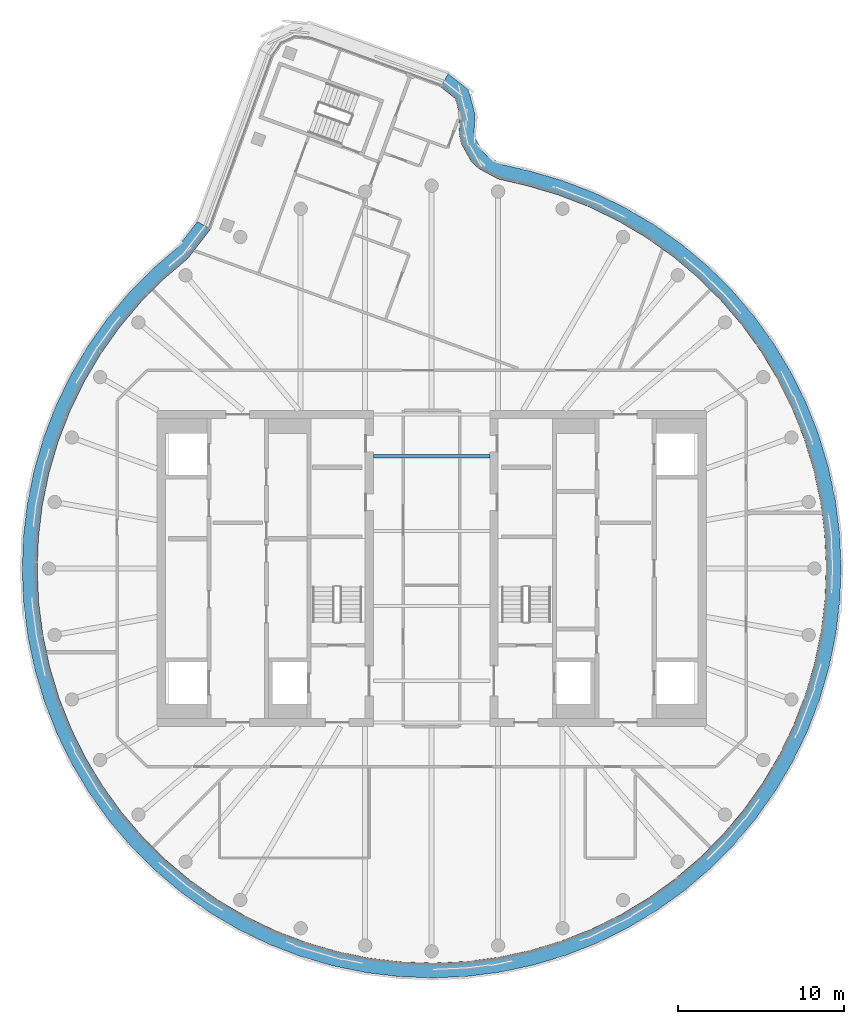
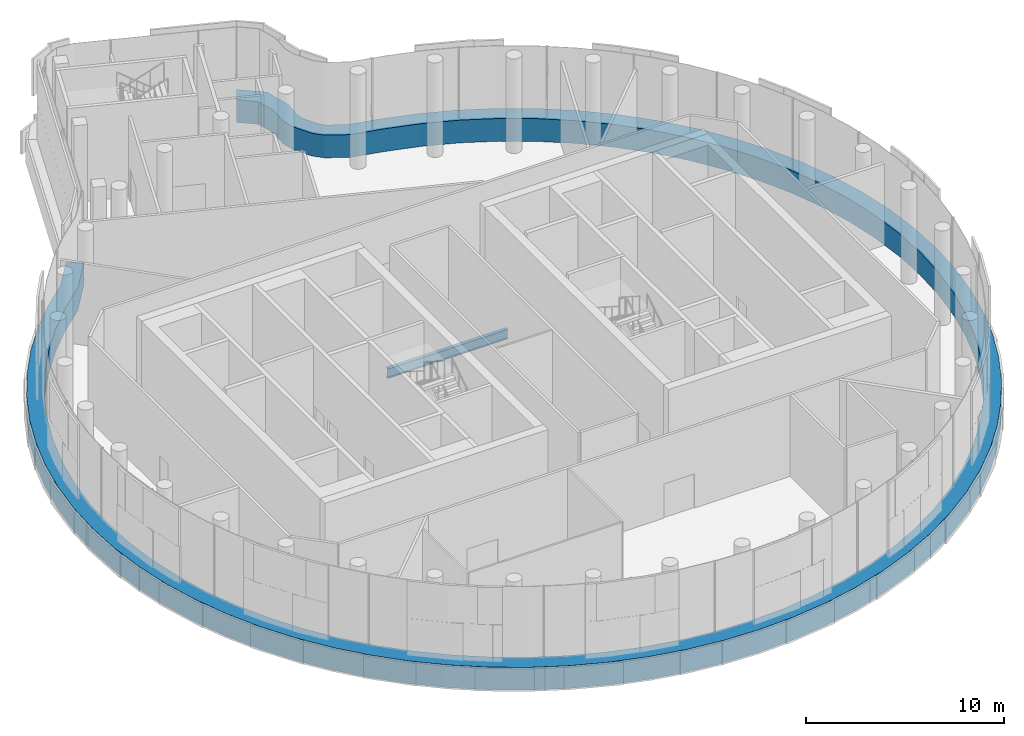
# One storey, part 5 of 18: 1 beam, 1 member, 1 element without a shape of its own.
"""IFC4 building model written with IfcOpenShell, lengths in metres."""

from ifc_helpers import new_model, si_unit, direction, frame, origin, origin_2d, place, context, subcontext, project, spatial, polyline, i_section, outline, extrude, material, layer, layer_set, material_profile, profile_set, type_object, element, aggregate, save


model = new_model("IFC4")

# Units and contexts
model_context = context("Model", 3, precision=1e-05, world=origin(), true_north=direction((0.0, 1.0)))
body_context = subcontext(model_context, "Body", "Model", "MODEL_VIEW")
ifc_project = project(units=[si_unit("LENGTHUNIT", "METRE"), si_unit("AREAUNIT", "SQUARE_METRE"), si_unit("VOLUMEUNIT", "CUBIC_METRE"), si_unit("PLANEANGLEUNIT", "RADIAN"), si_unit("MASSUNIT", "GRAM", prefix="KILO")], contexts=[model_context])

# Site, building, storey
site_placement = place(None, origin())
site = spatial("IfcSite", under=ifc_project, at=site_placement, CompositionType="ELEMENT")
building_placement = place(site_placement, origin())
building = spatial("IfcBuilding", under=site, at=building_placement, Name="Tamarind Cross Interchange Tower", CompositionType="ELEMENT")
storey_placement = place(building_placement, frame((0.0, 0.0, 299.39990234375)))
storey = spatial("IfcBuildingStorey", under=building, at=storey_placement, Name="L74", CompositionType="ELEMENT", Elevation=299.39990234375)

# Beam
ifc_material_1 = material(Name="Steel Q355B", Category="steel")
ifc_material_profile = material_profile(ifc_material_1, i_section(OverallWidth=0.198974609375, OverallDepth=0.595947265625, WebThickness=0.010009765625, FlangeThickness=0.014892578125, FilletRadius=0.012939453125, at=origin_2d()), Name="HN 596x199x10x15")
ifc_profile_set = profile_set([ifc_material_profile], Name="Steel Q355B")
beam_type = type_object("IfcBeamType", Name="Composite beam HN 596x199x10x15 Q355B", PredefinedType="BEAM", material=ifc_profile_set)
beam_placement = place(storey_placement, frame((-3.5, 6.75, -0.5478515625), z_axis=(1.0, 0.0, 0.0), x_axis=(0.0, 1.0, 0.0)))
element("IfcBeam", 1, at=beam_placement, inside=storey, type_object=beam_type, Name="Beam G6.75", PredefinedType="BEAM", context=body_context, shape_type="SweptSolid", body=[
    extrude(i_section(OverallWidth=0.198974609375, OverallDepth=0.595947265625, WebThickness=0.010009765625, FlangeThickness=0.014892578125, FilletRadius=0.012939453125, at=origin_2d()), origin(), (0.0, 0.0, 1.0), 7.0),
])

# Curtain wall, member
ifc_material_2 = material(Name="Aluminium 6063-T6", Category="aluminium")
ifc_layer = layer(ifc_material_2, 0.14990234375)
ifc_layer_set = layer_set([ifc_layer], Name="Aluminium 6063-T6")
curtain_wall_type = type_object("IfcCurtainWallType", Name="Winter garden and crown curtain wall", PredefinedType="NOTDEFINED", material=ifc_layer_set)
curtain_wall_placement = place(storey_placement, origin())
curtain_wall = element("IfcCurtainWall", 2, at=curtain_wall_placement, inside=storey, type_object=curtain_wall_type, Name="CWS-L74-02", PredefinedType="NOTDEFINED")
ifc_material_3 = material(Name="Aluminium and insulated spandrel panel", Category="aluminium")
member_type = type_object("IfcMemberType", Name="Floor-edge blade transom", PredefinedType="USERDEFINED", material=ifc_material_3)
member_placement = place(storey_placement, origin())
member = element("IfcMember", 3, at=member_placement, type_object=member_type, Name="CWT-L74-02", ObjectType="TRANSOM", PredefinedType="USERDEFINED", context=body_context, shape_type="SweptSolid", body=[
    extrude(outline(polyline([(-13.2763671875, 20.4013671875), (-14.629150390625, 18.641357421875), (-16.12353515625, 17.3642578125), (-17.50244140625, 15.973388671875), (-18.76171875, 14.4736328125), (-19.892822265625, 12.874755859375), (-20.88818359375, 11.188232421875), (-21.74072265625, 9.425048828125), (-22.444580078125, 7.597412109375), (-22.995361328125, 5.718017578125), (-23.38916015625, 3.799560546875), (-23.623046875, 1.855224609375), (-23.695556640625, -0.10205078125), (-23.606201171875, -2.058349609375), (-23.35546875, -4.000732421875), (-22.9453125, -5.915771484375), (-22.37841796875, -7.790283203125), (-21.65869140625, -9.61181640625), (-20.791015625, -11.367431640625), (-19.78125, -13.045654296875), (-18.636474609375, -14.634521484375), (-17.3642578125, -16.12353515625), (-15.973388671875, -17.50244140625), (-14.4736328125, -18.76171875), (-12.874755859375, -19.892822265625), (-11.188232421875, -20.88818359375), (-9.425048828125, -21.74072265625), (-7.597412109375, -22.444580078125), (-5.718017578125, -22.995361328125), (-3.799560546875, -23.38916015625), (-1.855224609375, -23.623046875), (0.10205078125, -23.695556640625), (2.058349609375, -23.606201171875), (4.000732421875, -23.35546875), (5.915771484375, -22.9453125), (7.790283203125, -22.37841796875), (9.61181640625, -21.65869140625), (11.367431640625, -20.791015625), (13.045654296875, -19.78125), (14.634521484375, -18.636474609375), (16.12353515625, -17.3642578125), (17.50244140625, -15.973388671875), (18.76171875, -14.4736328125), (19.892822265625, -12.874755859375), (20.88818359375, -11.188232421875), (21.74072265625, -9.425048828125), (22.444580078125, -7.597412109375), (22.995361328125, -5.718017578125), (23.38916015625, -3.799560546875), (23.623046875, -1.855224609375), (23.695556640625, 0.10205078125), (23.606201171875, 2.058349609375), (23.35546875, 4.000732421875), (22.9453125, 5.915771484375), (22.37841796875, 7.790283203125), (21.65869140625, 9.61181640625), (20.791015625, 11.367431640625), (19.78125, 13.045654296875), (18.636474609375, 14.634521484375), (17.3642578125, 16.12353515625), (15.973388671875, 17.50244140625), (14.4736328125, 18.76171875), (12.874755859375, 19.892822265625), (11.188232421875, 20.88818359375), (9.425048828125, 21.74072265625), (7.597412109375, 22.444580078125), (5.714111328125, 22.99658203125), (3.999755859375, 23.39794921875), (2.81689453125, 24.0322265625), (2.3623046875, 24.479736328125), (1.778564453125, 25.52978515625), (1.637939453125, 26.15185546875), (1.7021484375, 27.1611328125), (1.41796875, 28.2392578125), (0.54443359375, 28.931884765625), (0.9892578125, 29.7275390625), (2.2119140625, 28.75830078125), (2.609619140625, 27.249755859375), (2.54443359375, 26.223876953125), (2.6279296875, 25.85400390625), (3.0859375, 25.0302734375), (3.356201171875, 24.76416015625), (4.3203125, 24.247314453125), (5.943359375, 23.8671875), (7.88623046875, 23.2978515625), (9.783203125, 22.567138671875), (11.613525390625, 21.68212890625), (13.3642578125, 20.64892578125), (15.023681640625, 19.474853515625), (16.580810546875, 18.167724609375), (18.0244140625, 16.736572265625), (19.344970703125, 15.19091796875), (20.533203125, 13.54150390625), (21.581298828125, 11.799560546875), (22.482177734375, 9.97705078125), (23.229248046875, 8.08642578125), (23.817626953125, 6.140625), (24.243408203125, 4.15283203125), (24.50341796875, 2.13671875), (24.59619140625, 0.10595703125), (24.52099609375, -1.925537109375), (24.2783203125, -3.944091796875), (23.86962890625, -5.935302734375), (23.2978515625, -7.88623046875), (22.567138671875, -9.783203125), (21.68212890625, -11.613525390625), (20.64892578125, -13.3642578125), (19.474853515625, -15.023681640625), (18.167724609375, -16.580810546875), (16.736572265625, -18.0244140625), (15.19091796875, -19.344970703125), (13.54150390625, -20.533203125), (11.799560546875, -21.581298828125), (9.97705078125, -22.482177734375), (8.08642578125, -23.229248046875), (6.140625, -23.817626953125), (4.15283203125, -24.243408203125), (2.13671875, -24.50341796875), (0.10595703125, -24.59619140625), (-1.925537109375, -24.52099609375), (-3.944091796875, -24.2783203125), (-5.935302734375, -23.86962890625), (-7.88623046875, -23.2978515625), (-9.783203125, -22.567138671875), (-11.613525390625, -21.68212890625), (-13.3642578125, -20.64892578125), (-15.023681640625, -19.474853515625), (-16.580810546875, -18.167724609375), (-18.0244140625, -16.736572265625), (-19.344970703125, -15.19091796875), (-20.533203125, -13.54150390625), (-21.581298828125, -11.799560546875), (-22.482177734375, -9.97705078125), (-23.229248046875, -8.08642578125), (-23.817626953125, -6.140625), (-24.243408203125, -4.15283203125), (-24.50341796875, -2.13671875), (-24.59619140625, -0.10595703125), (-24.52099609375, 1.925537109375), (-24.2783203125, 3.944091796875), (-23.86962890625, 5.935302734375), (-23.2978515625, 7.88623046875), (-22.567138671875, 9.783203125), (-21.68212890625, 11.613525390625), (-20.64892578125, 13.3642578125), (-19.474853515625, 15.023681640625), (-18.167724609375, 16.580810546875), (-16.736572265625, 18.0244140625), (-15.285400390625, 19.264404296875), (-14.07470703125, 20.839599609375), (-13.2763671875, 20.4013671875)])), origin(), (0.0, 0.0, 1.0), 1.400146484375),
])
aggregate(curtain_wall, [member])

save(model, "model.ifc")
